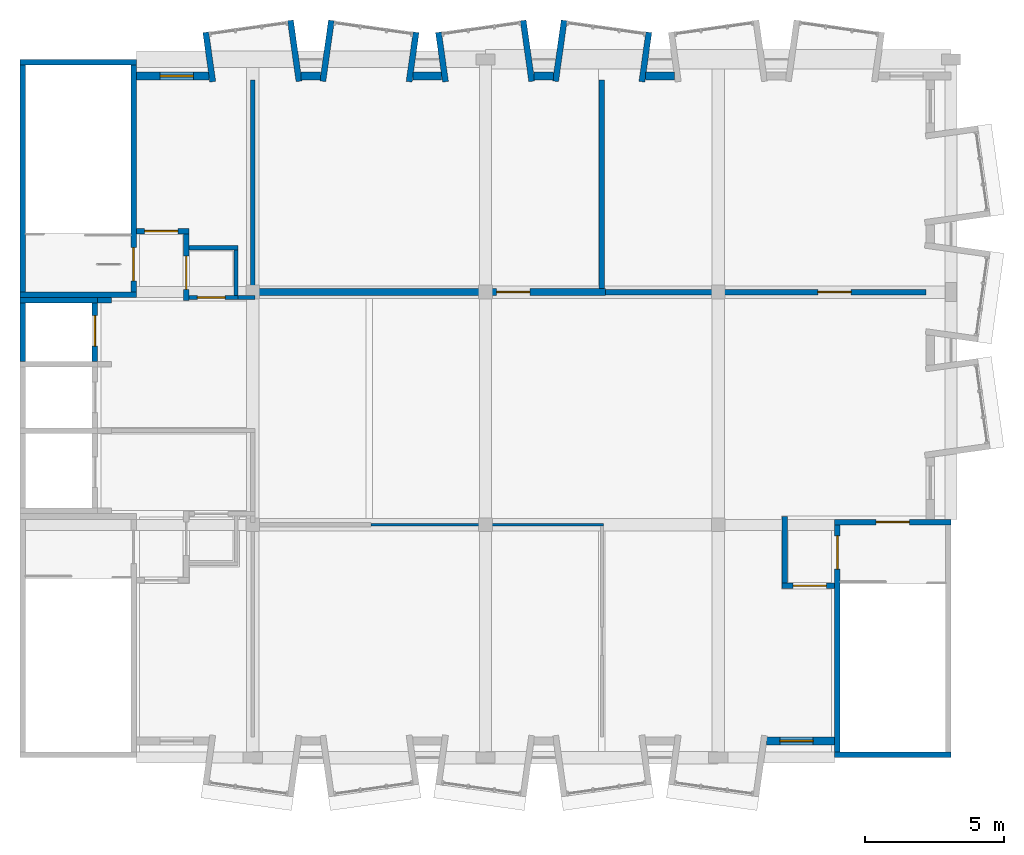
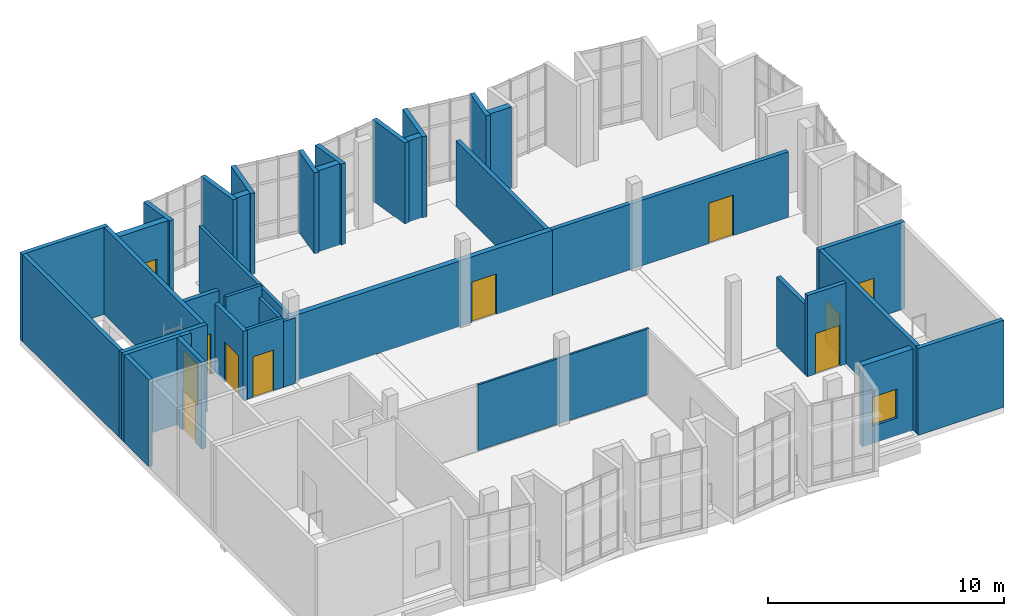
# One storey, part 11 of 15: 38 walls, 10 doors, 2 windows, 12 openings.
"""IFC4 building model written with IfcOpenShell, lengths in metres."""

from ifc_helpers import new_model, si_unit, direction, frame, frame_2d, origin, place, context, subcontext, project, spatial, rectangle, extrude, material, layer, layer_set, type_object, element, fill, save


model = new_model("IFC4")

# Units and contexts
model_context = context("Model", 3, precision=1e-05, world=origin(), true_north=direction((0.0, 1.0)))
body_context = subcontext(model_context, "Body", "Model", "MODEL_VIEW")
ifc_project = project(units=[si_unit("LENGTHUNIT", "METRE"), si_unit("AREAUNIT", "SQUARE_METRE"), si_unit("VOLUMEUNIT", "CUBIC_METRE"), si_unit("PLANEANGLEUNIT", "RADIAN"), si_unit("MASSUNIT", "GRAM", prefix="KILO")], contexts=[model_context])

# Site, building, storey
site_placement = place(None, origin())
site = spatial("IfcSite", under=ifc_project, at=site_placement, CompositionType="ELEMENT")
building_placement = place(site_placement, origin())
building = spatial("IfcBuilding", under=site, at=building_placement, Name="Kiln Court Media Centre", CompositionType="ELEMENT")
storey_placement = place(building_placement, frame((0.0, 0.0, 38.10009765625)))
storey = spatial("IfcBuildingStorey", under=building, at=storey_placement, Name="L08", CompositionType="ELEMENT", Elevation=38.10009765625)

# Wall, opening, door
ifc_material_1 = material(Name="Concrete block masonry M10", Category="masonry")
ifc_layer_1 = layer(ifc_material_1, 0.199951171875)
ifc_layer_set_1 = layer_set([ifc_layer_1], Name="Block plant room wall 200 EI 120")
wall_type_1 = type_object("IfcWallType", Name="Block plant room wall 200 EI 120", PredefinedType="SOLIDWALL", material=ifc_layer_set_1)
wall_1_placement = place(storey_placement, frame((21.125, 16.800048828125, 0.0), z_axis=(0.0, 0.0, 1.0), x_axis=(1.0, 0.0, 0.0)))
wall_1 = element("IfcWall", 1, at=wall_1_placement, inside=storey, type_object=wall_type_1, Name="L08 block plant room wall", PredefinedType="SOLIDWALL", context=body_context, shape_type="SweptSolid", body=[
    extrude(rectangle(XDim=11.574951171875, YDim=0.199951171875, at=frame_2d((5.78759765625, 0.0))), origin(), (0.0, 0.0, 1.0), 3.39990234375),
])
opening_1_placement = place(wall_1_placement, frame((7.675048828125, 0.0, 0.0)))
opening_1 = element("IfcOpeningElement", 2, at=opening_1_placement, cuts=wall_1, Name="Opening D8008", PredefinedType="OPENING", context=body_context, shape_type="SweptSolid", body=[
    extrude(rectangle(XDim=1.199951171875, YDim=2.10009765625, at=frame_2d((0.60009765625, 1.050048828125))), frame((0.0, 0.10986328125, 0.0), z_axis=(0.0, -1.0, 0.0), x_axis=(1.0, 0.0, 0.0)), (0.0, 0.0, 1.0), 0.219970703125),
])
ifc_material_2 = material(Name="Steel S275", Category="steel")
door_type_1 = type_object("IfcDoorType", Name="Steel plant door 1200 x 2100 FD180", OperationType="SINGLE_SWING_LEFT", PredefinedType="DOOR", material=ifc_material_2)
door_1_placement = place(opening_1_placement, origin())
door_1 = element("IfcDoor", 3, at=door_1_placement, inside=storey, type_object=door_type_1, Name="East Lobby / Plant Room", OperationType="SINGLE_SWING_LEFT", OverallHeight=2.10009765625, OverallWidth=1.199951171875, PredefinedType="DOOR", context=body_context, shape_type="SweptSolid", body=[
    extrude(rectangle(XDim=1.199951171875, YDim=2.10009765625, at=frame_2d((0.60009765625, 1.050048828125))), frame((0.0, 0.02490234375, 0.0), z_axis=(0.0, -1.0, 0.0), x_axis=(1.0, 0.0, 0.0)), (0.0, 0.0, 1.0), 0.050048828125),
])
fill(opening_1, door_1)

# Walls
wall_2_placement = place(storey_placement, frame((21.0, 16.925048828125, 0.0), z_axis=(0.0, 0.0, 1.0), x_axis=(0.0, 1.0, 0.0)))
element("IfcWall", 4, at=wall_2_placement, inside=storey, type_object=wall_type_1, Name="L08 block plant room wall", PredefinedType="SOLIDWALL", context=body_context, shape_type="SweptSolid", body=[
    extrude(rectangle(XDim=7.52490234375, YDim=0.199951171875, at=frame_2d((3.762451171875, 0.0))), origin(), (0.0, 0.0, 1.0), 3.39990234375),
])
ifc_material_3 = material(Name="Concrete block masonry M10", Category="masonry")
ifc_layer_2 = layer(ifc_material_3, 0.14990234375)
ifc_layer_set_2 = layer_set([ifc_layer_2], Name="Block riser wall 150 EI 120")
wall_type_2 = type_object("IfcWallType", Name="Block riser wall 150 EI 120", PredefinedType="SOLIDWALL", material=ifc_layer_set_2)
wall_3_placement = place(storey_placement, frame((7.875, 16.60009765625, 0.0), z_axis=(0.0, 0.0, 1.0), x_axis=(1.0, 0.0, 0.0)))
element("IfcWall", 5, at=wall_3_placement, inside=storey, type_object=wall_type_2, Name="L08 block riser wall", PredefinedType="SOLIDWALL", context=body_context, shape_type="SweptSolid", body=[
    extrude(rectangle(XDim=0.60009765625, YDim=0.14990234375, at=frame_2d((0.300048828125, 0.0))), origin(), (0.0, 0.0, 1.0), 3.39990234375),
])
wall_4_placement = place(storey_placement, frame((6.10009765625, 18.39990234375, 0.0), z_axis=(0.0, 0.0, 1.0), x_axis=(1.0, 0.0, 0.0)))
element("IfcWall", 6, at=wall_4_placement, inside=storey, type_object=wall_type_2, Name="L08 block riser wall", PredefinedType="SOLIDWALL", context=body_context, shape_type="SweptSolid", body=[
    extrude(rectangle(XDim=1.77490234375, YDim=0.14990234375, at=frame_2d((0.887451171875, 0.0))), origin(), (0.0, 0.0, 1.0), 4.199951171875),
])
wall_5_placement = place(storey_placement, frame((7.800048828125, 16.675048828125, 0.0), z_axis=(0.0, 0.0, 1.0), x_axis=(0.0, 1.0, 0.0)))
element("IfcWall", 7, at=wall_5_placement, inside=storey, type_object=wall_type_2, Name="L08 block riser wall", PredefinedType="SOLIDWALL", context=body_context, shape_type="SweptSolid", body=[
    extrude(rectangle(XDim=1.64990234375, YDim=0.14990234375, at=frame_2d((0.824951171875, 0.0))), origin(), (0.0, 0.0, 1.0), 3.599853515625),
])
wall_6_placement = place(storey_placement, frame((8.39990234375, 16.925048828125, 0.0), z_axis=(0.0, 0.0, 1.0), x_axis=(0.0, 1.0, 0.0)))
element("IfcWall", 8, at=wall_6_placement, inside=storey, type_object=wall_type_2, Name="L08 block riser wall", PredefinedType="SOLIDWALL", context=body_context, shape_type="SweptSolid", body=[
    extrude(rectangle(XDim=7.52490234375, YDim=0.14990234375, at=frame_2d((3.762451171875, 0.0))), origin(), (0.0, 0.0, 1.0), 3.39990234375),
])

# Wall, opening, door
ifc_material_4 = material(Name="Concrete block masonry M10", Category="masonry")
ifc_layer_3 = layer(ifc_material_4, 0.199951171875)
ifc_layer_set_3 = layer_set([ifc_layer_3], Name="Block vestibule wall 200 EI 240")
wall_type_3 = type_object("IfcWallType", Name="Block vestibule wall 200 EI 240", PredefinedType="SOLIDWALL", material=ifc_layer_set_3)
wall_7_placement = place(storey_placement, frame((27.5, 6.199951171875, 0.0), z_axis=(0.0, 0.0, 1.0), x_axis=(1.0, 0.0, 0.0)))
wall_7 = element("IfcWall", 9, at=wall_7_placement, inside=storey, type_object=wall_type_3, Name="L08 block vestibule wall", PredefinedType="SOLIDWALL", context=body_context, shape_type="SweptSolid", body=[
    extrude(rectangle(XDim=1.89990234375, YDim=0.199951171875, at=frame_2d((0.949951171875, 0.0))), origin(), (0.0, 0.0, 1.0), 4.199951171875),
])
opening_2_placement = place(wall_7_placement, frame((0.39990234375, 0.0, 0.0)))
opening_2 = element("IfcOpeningElement", 10, at=opening_2_placement, cuts=wall_7, Name="Opening D8005", PredefinedType="OPENING", context=body_context, shape_type="SweptSolid", body=[
    extrude(rectangle(XDim=1.199951171875, YDim=2.10009765625, at=frame_2d((0.60009765625, 1.050048828125))), frame((0.0, 0.10986328125, 0.0), z_axis=(0.0, -1.0, 0.0), x_axis=(1.0, 0.0, 0.0)), (0.0, 0.0, 1.0), 0.219970703125),
])
ifc_material_5 = material(Name="Steel S275", Category="steel")
door_type_2 = type_object("IfcDoorType", Name="Steel vestibule door 1200 x 2100 FD180", OperationType="SINGLE_SWING_LEFT", PredefinedType="DOOR", material=ifc_material_5)
door_2_placement = place(opening_2_placement, origin())
door_2 = element("IfcDoor", 11, at=door_2_placement, inside=storey, type_object=door_type_2, Name="Club Lounge / Stair 3 Vestibule", OperationType="SINGLE_SWING_RIGHT", OverallHeight=2.10009765625, OverallWidth=1.199951171875, PredefinedType="DOOR", context=body_context, shape_type="SweptSolid", body=[
    extrude(rectangle(XDim=1.199951171875, YDim=2.10009765625, at=frame_2d((0.60009765625, 1.050048828125))), frame((0.0, 0.02490234375, 0.0), z_axis=(0.0, -1.0, 0.0), x_axis=(1.0, 0.0, 0.0)), (0.0, 0.0, 1.0), 0.050048828125),
])
fill(opening_2, door_2)

wall_8_placement = place(storey_placement, frame((4.2001953125, 19.0, 0.0), z_axis=(0.0, 0.0, 1.0), x_axis=(1.0, 0.0, 0.0)))
wall_8 = element("IfcWall", 12, at=wall_8_placement, inside=storey, type_object=wall_type_3, Name="L08 block vestibule wall", PredefinedType="SOLIDWALL", context=body_context, shape_type="SweptSolid", body=[
    extrude(rectangle(XDim=1.89990234375, YDim=0.199951171875, at=frame_2d((0.949951171875, 0.0))), origin(), (0.0, 0.0, 1.0), 4.199951171875),
])
opening_3_placement = place(wall_8_placement, frame((0.2998046875, 0.0, 0.0)))
opening_3 = element("IfcOpeningElement", 13, at=opening_3_placement, cuts=wall_8, Name="Opening D8009", PredefinedType="OPENING", context=body_context, shape_type="SweptSolid", body=[
    extrude(rectangle(XDim=1.199951171875, YDim=2.10009765625, at=frame_2d((0.60009765625, 1.050048828125))), frame((0.0, 0.10986328125, 0.0), z_axis=(0.0, -1.0, 0.0), x_axis=(1.0, 0.0, 0.0)), (0.0, 0.0, 1.0), 0.219970703125),
])
door_3_placement = place(opening_3_placement, origin())
door_3 = element("IfcDoor", 14, at=door_3_placement, inside=storey, type_object=door_type_2, Name="Cleaners' Store and Riser / Stair 2 Vestibule", OperationType="SINGLE_SWING_LEFT", OverallHeight=2.10009765625, OverallWidth=1.199951171875, PredefinedType="DOOR", context=body_context, shape_type="SweptSolid", body=[
    extrude(rectangle(XDim=1.199951171875, YDim=2.10009765625, at=frame_2d((0.60009765625, 1.050048828125))), frame((0.0, 0.02490234375, 0.0), z_axis=(0.0, -1.0, 0.0), x_axis=(1.0, 0.0, 0.0)), (0.0, 0.0, 1.0), 0.050048828125),
])
fill(opening_3, door_3)

wall_9_placement = place(storey_placement, frame((6.0, 16.5, 0.0), z_axis=(0.0, 0.0, 1.0), x_axis=(0.0, 1.0, 0.0)))
wall_9 = element("IfcWall", 15, at=wall_9_placement, inside=storey, type_object=wall_type_3, Name="L08 block vestibule wall", PredefinedType="SOLIDWALL", context=body_context, shape_type="SweptSolid", body=[
    extrude(rectangle(XDim=2.39990234375, YDim=0.199951171875, at=frame_2d((1.199951171875, 0.0))), origin(), (0.0, 0.0, 1.0), 3.599853515625),
])
opening_4_placement = place(wall_9_placement, frame((0.39990234375, 0.0, 0.0)))
opening_4 = element("IfcOpeningElement", 16, at=opening_4_placement, cuts=wall_9, Name="Opening D8010", PredefinedType="OPENING", context=body_context, shape_type="SweptSolid", body=[
    extrude(rectangle(XDim=1.199951171875, YDim=2.10009765625, at=frame_2d((0.60009765625, 1.050048828125))), frame((0.0, 0.10986328125, 0.0), z_axis=(0.0, -1.0, 0.0), x_axis=(1.0, 0.0, 0.0)), (0.0, 0.0, 1.0), 0.219970703125),
])
door_4_placement = place(opening_4_placement, origin())
door_4 = element("IfcDoor", 17, at=door_4_placement, inside=storey, type_object=door_type_2, Name="Stair 2 Vestibule / Wheelchair Refuge", OperationType="SINGLE_SWING_RIGHT", OverallHeight=2.10009765625, OverallWidth=1.199951171875, PredefinedType="DOOR", context=body_context, shape_type="SweptSolid", body=[
    extrude(rectangle(XDim=1.199951171875, YDim=2.10009765625, at=frame_2d((0.60009765625, 1.050048828125))), frame((0.0, 0.02490234375, 0.0), z_axis=(0.0, -1.0, 0.0), x_axis=(1.0, 0.0, 0.0)), (0.0, 0.0, 1.0), 0.050048828125),
])
fill(opening_4, door_4)

# Walls
wall_10_placement = place(storey_placement, frame((27.60009765625, 6.300048828125, 0.0), z_axis=(0.0, 0.0, 1.0), x_axis=(0.0, 1.0, 0.0)))
element("IfcWall", 18, at=wall_10_placement, inside=storey, type_object=wall_type_3, Name="L08 block vestibule wall", PredefinedType="SOLIDWALL", context=body_context, shape_type="SweptSolid", body=[
    extrude(rectangle(XDim=2.39990234375, YDim=0.199951171875, at=frame_2d((1.199951171875, 0.0))), origin(), (0.0, 0.0, 1.0), 3.599853515625),
])
ifc_material_6 = material(Name="Brick masonry facing leaf with RC backing", Category="masonry")
ifc_layer_4 = layer(ifc_material_6, 0.215087890625)
ifc_layer_set_4 = layer_set([ifc_layer_4], Name="Brick masonry bay cheek wall 215")
wall_type_4 = type_object("IfcWallType", Name="Brick masonry bay cheek wall 215", PredefinedType="SOLIDWALL", material=ifc_layer_set_4)
wall_11_placement = place(storey_placement, frame((6.9560546875, 24.39111328125, 0.0), z_axis=(0.0, 0.0, 1.0), x_axis=(-0.139161311926, 0.990269725511, 0.0)))
element("IfcWall", 19, at=wall_11_placement, inside=storey, type_object=wall_type_4, Name="BAY V6A-N-L08-53 cheek L", PredefinedType="SOLIDWALL", context=body_context, shape_type="SweptSolid", body=[
    extrude(rectangle(XDim=1.800048828125, YDim=0.215087890625, at=frame_2d((0.89990234375, 0.0))), origin(), (0.0, 0.0, 1.0), 4.199951171875),
])
for number, where, z_axis, x_axis, name in (
    (20, (10.0693359375, 24.405029296875, 0.0), (0.0, 0.0, 1.0), (-0.139141913905, 0.990272451295, 0.0), "BAY V6A-N-L08-53 cheek R"),
    (21, (10.9306640625, 24.405029296875, 0.0), (0.0, 0.0, 1.0), (0.139141913905, 0.990272451295, 0.0), "BAY V6A-N-L08-54 cheek L"),
):
    element("IfcWall", number, at=place(storey_placement, frame(where, z_axis=z_axis, x_axis=x_axis)), inside=storey, type_object=wall_type_4, Name=name, PredefinedType="SOLIDWALL", context=body_context, shape_type="SweptSolid", body=[
        extrude(rectangle(XDim=2.219482421875, YDim=0.215087890625, at=frame_2d((1.10986328125, 0.0))), origin(), (0.0, 0.0, 1.0), 4.199951171875),
    ])
for number, where, z_axis, x_axis, name in (
    (22, (14.0439453125, 24.39111328125, 0.0), (0.0, 0.0, 1.0), (0.139161311926, 0.990269725511, 0.0), "BAY V6A-N-L08-54 cheek R"),
    (23, (15.35595703125, 24.39111328125, 0.0), (0.0, 0.0, 1.0), (-0.139161311926, 0.990269725511, 0.0), "BAY V6A-N-L08-55 cheek L"),
):
    element("IfcWall", number, at=place(storey_placement, frame(where, z_axis=z_axis, x_axis=x_axis)), inside=storey, type_object=wall_type_4, Name=name, PredefinedType="SOLIDWALL", context=body_context, shape_type="SweptSolid", body=[
        extrude(rectangle(XDim=1.800048828125, YDim=0.215087890625, at=frame_2d((0.89990234375, 0.0))), origin(), (0.0, 0.0, 1.0), 4.199951171875),
    ])
wall_12_placement = place(storey_placement, frame((18.469482421875, 24.405029296875, 0.0), z_axis=(0.0, 0.0, 1.0), x_axis=(-0.139249775508, 0.99025728981, 0.0)))
element("IfcWall", 24, at=wall_12_placement, inside=storey, type_object=wall_type_4, Name="BAY V6A-N-L08-55 cheek R", PredefinedType="SOLIDWALL", context=body_context, shape_type="SweptSolid", body=[
    extrude(rectangle(XDim=2.2197265625, YDim=0.215087890625, at=frame_2d((1.10986328125, 0.0))), origin(), (0.0, 0.0, 1.0), 4.199951171875),
])
wall_13_placement = place(storey_placement, frame((19.33056640625, 24.405029296875, 0.0), z_axis=(0.0, 0.0, 1.0), x_axis=(0.139141913905, 0.990272451295, 0.0)))
element("IfcWall", 25, at=wall_13_placement, inside=storey, type_object=wall_type_4, Name="BAY V6A-N-L08-56 cheek L", PredefinedType="SOLIDWALL", context=body_context, shape_type="SweptSolid", body=[
    extrude(rectangle(XDim=2.219482421875, YDim=0.215087890625, at=frame_2d((1.10986328125, 0.0))), origin(), (0.0, 0.0, 1.0), 4.199951171875),
])
wall_14_placement = place(storey_placement, frame((22.444091796875, 24.39111328125, 0.0), z_axis=(0.0, 0.0, 1.0), x_axis=(0.139161311926, 0.990269725511, 0.0)))
element("IfcWall", 26, at=wall_14_placement, inside=storey, type_object=wall_type_4, Name="BAY V6A-N-L08-56 cheek R", PredefinedType="SOLIDWALL", context=body_context, shape_type="SweptSolid", body=[
    extrude(rectangle(XDim=1.800048828125, YDim=0.215087890625, at=frame_2d((0.89990234375, 0.0))), origin(), (0.0, 0.0, 1.0), 4.199951171875),
])

# Wall, opening, window
ifc_material_7 = material(Name="Brick masonry facing leaf with RC backing", Category="masonry")
ifc_layer_5 = layer(ifc_material_7, 0.300048828125)
ifc_layer_set_5 = layer_set([ifc_layer_5], Name="Brick masonry cavity wall 300")
wall_type_5 = type_object("IfcWallType", Name="Brick masonry cavity wall 300", PredefinedType="SOLIDWALL", material=ifc_layer_set_5)
wall_15_placement = place(storey_placement, frame((4.2001953125, 24.60009765625, 0.0), z_axis=(0.0, 0.0, 1.0), x_axis=(1.0, 0.0, 0.0)))
wall_15 = element("IfcWall", 27, at=wall_15_placement, inside=storey, type_object=wall_type_5, Name="V6A-N facade L08 3022", PredefinedType="SOLIDWALL", context=body_context, shape_type="SweptSolid", body=[
    extrude(rectangle(XDim=2.617919921875, YDim=0.300048828125, at=frame_2d((1.30908203125, 0.0))), origin(), (0.0, 0.0, 1.0), 4.199951171875),
])
opening_5_placement = place(wall_15_placement, frame((0.85888671875, 0.0, 0.89990234375)))
opening_5 = element("IfcOpeningElement", 28, at=opening_5_placement, cuts=wall_15, Name="Opening WN8003", PredefinedType="OPENING", context=body_context, shape_type="SweptSolid", body=[
    extrude(rectangle(XDim=1.199951171875, YDim=1.5, at=frame_2d((0.60009765625, 0.75))), frame((0.0, 0.159912109375, 0.0), z_axis=(0.0, -1.0, 0.0), x_axis=(1.0, 0.0, 0.0)), (0.0, 0.0, 1.0), 0.320068359375),
])
ifc_material_8 = material(Name="Aluminium 6063-T6", Category="aluminium")
window_type = type_object("IfcWindowType", Name="Aluminium window 1200x1500", PartitioningType="DOUBLE_PANEL_VERTICAL", PredefinedType="WINDOW", material=ifc_material_8)
window_1_placement = place(opening_5_placement, origin())
window_1 = element("IfcWindow", 29, at=window_1_placement, inside=storey, type_object=window_type, Name="WB window WN8003", OverallHeight=1.5, OverallWidth=1.199951171875, PartitioningType="SINGLE_PANEL", PredefinedType="WINDOW", context=body_context, shape_type="SweptSolid", body=[
    extrude(rectangle(XDim=1.199951171875, YDim=1.5, at=frame_2d((0.60009765625, 0.75))), frame((0.0, 0.030029296875, 0.0), z_axis=(0.0, -1.0, 0.0), x_axis=(1.0, 0.0, 0.0)), (0.0, 0.0, 1.0), 0.06005859375),
])
fill(opening_5, window_1)

# Walls
wall_16_placement = place(storey_placement, frame((10.150390625, 24.60009765625, 0.0), z_axis=(0.0, 0.0, 1.0), x_axis=(1.0, 0.0, 0.0)))
element("IfcWall", 30, at=wall_16_placement, inside=storey, type_object=wall_type_5, Name="V6A-N facade L08 3023", PredefinedType="SOLIDWALL", context=body_context, shape_type="SweptSolid", body=[
    extrude(rectangle(XDim=0.69921875, YDim=0.300048828125, at=frame_2d((0.349609375, 0.0))), origin(), (0.0, 0.0, 1.0), 4.199951171875),
])
wall_17_placement = place(storey_placement, frame((14.181884765625, 24.60009765625, 0.0), z_axis=(0.0, 0.0, 1.0), x_axis=(1.0, 0.0, 0.0)))
element("IfcWall", 31, at=wall_17_placement, inside=storey, type_object=wall_type_5, Name="V6A-N facade L08 3024", PredefinedType="SOLIDWALL", context=body_context, shape_type="SweptSolid", body=[
    extrude(rectangle(XDim=1.0361328125, YDim=0.300048828125, at=frame_2d((0.51806640625, 0.0))), origin(), (0.0, 0.0, 1.0), 4.199951171875),
])
wall_18_placement = place(storey_placement, frame((18.550537109375, 24.60009765625, 0.0), z_axis=(0.0, 0.0, 1.0), x_axis=(1.0, 0.0, 0.0)))
element("IfcWall", 32, at=wall_18_placement, inside=storey, type_object=wall_type_5, Name="V6A-N facade L08 3025", PredefinedType="SOLIDWALL", context=body_context, shape_type="SweptSolid", body=[
    extrude(rectangle(XDim=0.698974609375, YDim=0.300048828125, at=frame_2d((0.349609375, 0.0))), origin(), (0.0, 0.0, 1.0), 4.199951171875),
])
wall_19_placement = place(storey_placement, frame((22.581787109375, 24.60009765625, 0.0), z_axis=(0.0, 0.0, 1.0), x_axis=(1.0, 0.0, 0.0)))
element("IfcWall", 33, at=wall_19_placement, inside=storey, type_object=wall_type_5, Name="V6A-N facade L08 3026", PredefinedType="SOLIDWALL", context=body_context, shape_type="SweptSolid", body=[
    extrude(rectangle(XDim=1.036376953125, YDim=0.300048828125, at=frame_2d((0.51806640625, 0.0))), origin(), (0.0, 0.0, 1.0), 4.199951171875),
])

# Wall, opening, window
wall_20_placement = place(storey_placement, frame((29.39990234375, 0.60009765625, 0.0), z_axis=(0.0, 0.0, 1.0), x_axis=(-1.0, 0.0, 0.0)))
wall_20 = element("IfcWall", 34, at=wall_20_placement, inside=storey, type_object=wall_type_5, Name="V6A-S facade L08 3044", PredefinedType="SOLIDWALL", context=body_context, shape_type="SweptSolid", body=[
    extrude(rectangle(XDim=2.449462890625, YDim=0.300048828125, at=frame_2d((1.224609375, 0.0))), origin(), (0.0, 0.0, 1.0), 4.199951171875),
])
opening_6_placement = place(wall_20_placement, frame((0.77490234375, 0.0, 0.89990234375)))
opening_6 = element("IfcOpeningElement", 35, at=opening_6_placement, cuts=wall_20, Name="Opening WN8006", PredefinedType="OPENING", context=body_context, shape_type="SweptSolid", body=[
    extrude(rectangle(XDim=1.199951171875, YDim=1.5, at=frame_2d((0.60009765625, 0.75))), frame((0.0, 0.159912109375, 0.0), z_axis=(0.0, -1.0, 0.0), x_axis=(1.0, 0.0, 0.0)), (0.0, 0.0, 1.0), 0.320068359375),
])
window_2_placement = place(opening_6_placement, origin())
window_2 = element("IfcWindow", 36, at=window_2_placement, inside=storey, type_object=window_type, Name="WB window WN8006", OverallHeight=1.5, OverallWidth=1.199951171875, PartitioningType="SINGLE_PANEL", PredefinedType="WINDOW", context=body_context, shape_type="SweptSolid", body=[
    extrude(rectangle(XDim=1.199951171875, YDim=1.5, at=frame_2d((0.60009765625, 0.75))), frame((0.0, 0.030029296875, 0.0), z_axis=(0.0, -1.0, 0.0), x_axis=(1.0, 0.0, 0.0)), (0.0, 0.0, 1.0), 0.06005859375),
])
fill(opening_6, window_2)

# Walls
ifc_material_9 = material(Name="Concrete C40/50", Category="concrete")
ifc_layer_6 = layer(ifc_material_9, 0.199951171875)
ifc_layer_set_6 = layer_set([ifc_layer_6], Name="Concrete C40/50 shear wall 200")
wall_type_6 = type_object("IfcWallType", Name="Concrete C40/50 shear wall 200", PredefinedType="SHEAR", material=ifc_layer_set_6)
for number, where, z_axis, x_axis, name in (
    (37, (4.199951171875, 16.699951171875, 0.0), (0.0, 0.0, 1.0), (-1.0, 0.0, 0.0), "L08-W-1004"),
    (38, (0.00048828125, 25.10009765625, 0.0), (0.0, 0.0, 1.0), (1.0, 0.0, 0.0), "L08-W-1005"),
):
    element("IfcWall", number, at=place(storey_placement, frame(where, z_axis=z_axis, x_axis=x_axis)), inside=storey, type_object=wall_type_6, Name=name, PredefinedType="SHEAR", context=body_context, shape_type="SweptSolid", body=[
        extrude(rectangle(XDim=4.199462890625, YDim=0.199951171875, at=frame_2d((2.099609375, 0.0))), origin(), (0.0, 0.0, 1.0), 4.5),
    ])
wall_21_placement = place(storey_placement, frame((0.100341796875, 16.800048828125, 0.0), z_axis=(0.0, 0.0, 1.0), x_axis=(0.0, 1.0, 0.0)))
element("IfcWall", 39, at=wall_21_placement, inside=storey, type_object=wall_type_6, Name="L08-W-1006", PredefinedType="SHEAR", context=body_context, shape_type="SweptSolid", body=[
    extrude(rectangle(XDim=8.199951171875, YDim=0.199951171875, at=frame_2d((4.10009765625, 0.0))), origin(), (0.0, 0.0, 1.0), 4.5),
])

# Wall, opening, door
wall_22_placement = place(storey_placement, frame((4.10009765625, 25.0, 0.0), z_axis=(0.0, 0.0, 1.0), x_axis=(0.0, -1.0, 0.0)))
wall_22 = element("IfcWall", 40, at=wall_22_placement, inside=storey, type_object=wall_type_6, Name="L08-W-1007", PredefinedType="SHEAR", context=body_context, shape_type="SweptSolid", body=[
    extrude(rectangle(XDim=8.199951171875, YDim=0.199951171875, at=frame_2d((4.10009765625, 0.0))), origin(), (0.0, 0.0, 1.0), 4.5),
])
opening_7_placement = place(wall_22_placement, frame((6.60009765625, 0.0, 0.0)))
opening_7 = element("IfcOpeningElement", 41, at=opening_7_placement, cuts=wall_22, Name="Opening D8004", PredefinedType="OPENING", context=body_context, shape_type="SweptSolid", body=[
    extrude(rectangle(XDim=1.199951171875, YDim=2.10009765625, at=frame_2d((0.60009765625, 1.050048828125))), frame((0.0, 0.10986328125, 0.0), z_axis=(0.0, -1.0, 0.0), x_axis=(1.0, 0.0, 0.0)), (0.0, 0.0, 1.0), 0.219970703125),
])
ifc_material_10 = material(Name="Steel S275", Category="steel")
door_type_3 = type_object("IfcDoorType", Name="Steel stair door 1200 x 2100 FD180", OperationType="SINGLE_SWING_LEFT", PredefinedType="DOOR", material=ifc_material_10)
door_5_placement = place(opening_7_placement, origin())
door_5 = element("IfcDoor", 42, at=door_5_placement, inside=storey, type_object=door_type_3, Name="Stair 2 / Stair 2 Vestibule", OperationType="SINGLE_SWING_RIGHT", OverallHeight=2.10009765625, OverallWidth=1.199951171875, PredefinedType="DOOR", context=body_context, shape_type="SweptSolid", body=[
    extrude(rectangle(XDim=1.199951171875, YDim=2.10009765625, at=frame_2d((0.60009765625, 1.050048828125))), frame((0.0, 0.02490234375, 0.0), z_axis=(0.0, -1.0, 0.0), x_axis=(1.0, 0.0, 0.0)), (0.0, 0.0, 1.0), 0.050048828125),
])
fill(opening_7, door_5)

# Wall
wall_23_placement = place(storey_placement, frame((33.60009765625, 0.10009765625, 0.0), z_axis=(0.0, 0.0, 1.0), x_axis=(-1.0, 0.0, 0.0)))
element("IfcWall", 43, at=wall_23_placement, inside=storey, type_object=wall_type_6, Name="L08-W-1008", PredefinedType="SHEAR", context=body_context, shape_type="SweptSolid", body=[
    extrude(rectangle(XDim=4.2001953125, YDim=0.199951171875, at=frame_2d((2.10009765625, 0.0))), origin(), (0.0, 0.0, 1.0), 4.5),
])

# Wall, opening, door
wall_24_placement = place(storey_placement, frame((29.39990234375, 8.5, 0.0), z_axis=(0.0, 0.0, 1.0), x_axis=(1.0, 0.0, 0.0)))
wall_24 = element("IfcWall", 44, at=wall_24_placement, inside=storey, type_object=wall_type_6, Name="L08-W-1009", PredefinedType="SHEAR", context=body_context, shape_type="SweptSolid", body=[
    extrude(rectangle(XDim=4.2001953125, YDim=0.199951171875, at=frame_2d((2.10009765625, 0.0))), origin(), (0.0, 0.0, 1.0), 4.5),
])
opening_8_placement = place(wall_24_placement, frame((1.5, 0.0, 0.0)))
opening_8 = element("IfcOpeningElement", 45, at=opening_8_placement, cuts=wall_24, Name="Opening D8003", PredefinedType="OPENING", context=body_context, shape_type="SweptSolid", body=[
    extrude(rectangle(XDim=1.199951171875, YDim=2.10009765625, at=frame_2d((0.60009765625, 1.050048828125))), frame((0.0, 0.10986328125, 0.0), z_axis=(0.0, -1.0, 0.0), x_axis=(1.0, 0.0, 0.0)), (0.0, 0.0, 1.0), 0.219970703125),
])
door_6_placement = place(opening_8_placement, origin())
door_6 = element("IfcDoor", 46, at=door_6_placement, inside=storey, type_object=door_type_3, Name="Stair 3 / East Lobby", OperationType="SINGLE_SWING_RIGHT", OverallHeight=2.10009765625, OverallWidth=1.199951171875, PredefinedType="DOOR", context=body_context, shape_type="SweptSolid", body=[
    extrude(rectangle(XDim=1.199951171875, YDim=2.10009765625, at=frame_2d((0.60009765625, 1.050048828125))), frame((0.0, 0.02490234375, 0.0), z_axis=(0.0, -1.0, 0.0), x_axis=(1.0, 0.0, 0.0)), (0.0, 0.0, 1.0), 0.050048828125),
])
fill(opening_8, door_6)

wall_25_placement = place(storey_placement, frame((29.5, 0.199951171875, 0.0), z_axis=(0.0, 0.0, 1.0), x_axis=(0.0, 1.0, 0.0)))
wall_25 = element("IfcWall", 47, at=wall_25_placement, inside=storey, type_object=wall_type_6, Name="L08-W-1010", PredefinedType="SHEAR", context=body_context, shape_type="SweptSolid", body=[
    extrude(rectangle(XDim=8.199951171875, YDim=0.199951171875, at=frame_2d((4.10009765625, 0.0))), origin(), (0.0, 0.0, 1.0), 4.5),
])
opening_9_placement = place(wall_25_placement, frame((6.60009765625, 0.0, 0.0)))
opening_9 = element("IfcOpeningElement", 48, at=opening_9_placement, cuts=wall_25, Name="Opening D8002", PredefinedType="OPENING", context=body_context, shape_type="SweptSolid", body=[
    extrude(rectangle(XDim=1.199951171875, YDim=2.10009765625, at=frame_2d((0.60009765625, 1.050048828125))), frame((0.0, 0.10986328125, 0.0), z_axis=(0.0, -1.0, 0.0), x_axis=(1.0, 0.0, 0.0)), (0.0, 0.0, 1.0), 0.219970703125),
])
door_7_placement = place(opening_9_placement, origin())
door_7 = element("IfcDoor", 49, at=door_7_placement, inside=storey, type_object=door_type_3, Name="Stair 3 / Stair 3 Vestibule", OperationType="SINGLE_SWING_RIGHT", OverallHeight=2.10009765625, OverallWidth=1.199951171875, PredefinedType="DOOR", context=body_context, shape_type="SweptSolid", body=[
    extrude(rectangle(XDim=1.199951171875, YDim=2.10009765625, at=frame_2d((0.60009765625, 1.050048828125))), frame((0.0, 0.02490234375, 0.0), z_axis=(0.0, -1.0, 0.0), x_axis=(1.0, 0.0, 0.0)), (0.0, 0.0, 1.0), 0.050048828125),
])
fill(opening_9, door_7)

# Walls
wall_26_placement = place(storey_placement, frame((0.00048828125, 16.5, 0.0), z_axis=(0.0, 0.0, 1.0), x_axis=(1.0, 0.0, 0.0)))
element("IfcWall", 50, at=wall_26_placement, inside=storey, type_object=wall_type_6, Name="L08-W-1019", PredefinedType="SHEAR", context=body_context, shape_type="SweptSolid", body=[
    extrude(rectangle(XDim=2.799560546875, YDim=0.199951171875, at=frame_2d((1.39990234375, 0.0))), origin(), (0.0, 0.0, 1.0), 4.5),
])
wall_27_placement = place(storey_placement, frame((0.100341796875, 14.300048828125, 0.0), z_axis=(0.0, 0.0, 1.0), x_axis=(0.0, 1.0, 0.0)))
element("IfcWall", 51, at=wall_27_placement, inside=storey, type_object=wall_type_6, Name="L08-W-1020", PredefinedType="SHEAR", context=body_context, shape_type="SweptSolid", body=[
    extrude(rectangle(XDim=2.099853515625, YDim=0.199951171875, at=frame_2d((1.0498046875, 0.0))), origin(), (0.0, 0.0, 1.0), 4.5),
])

# Wall, opening, door
wall_28_placement = place(storey_placement, frame((2.699951171875, 16.39990234375, 0.0), z_axis=(0.0, 0.0, 1.0), x_axis=(0.0, -1.0, 0.0)))
wall_28 = element("IfcWall", 52, at=wall_28_placement, inside=storey, type_object=wall_type_6, Name="L08-W-1021", PredefinedType="SHEAR", context=body_context, shape_type="SweptSolid", body=[
    extrude(rectangle(XDim=2.099853515625, YDim=0.199951171875, at=frame_2d((1.0498046875, 0.0))), origin(), (0.0, 0.0, 1.0), 4.5),
])
opening_10_placement = place(wall_28_placement, frame((0.449951171875, 0.0, 0.0)))
opening_10 = element("IfcOpeningElement", 53, at=opening_10_placement, cuts=wall_28, Name="Opening LD803", PredefinedType="OPENING", context=body_context, shape_type="SweptSolid", body=[
    extrude(rectangle(XDim=1.10009765625, YDim=2.10009765625, at=frame_2d((0.550048828125, 1.050048828125))), frame((0.0, 0.10986328125, 0.0), z_axis=(0.0, -1.0, 0.0), x_axis=(1.0, 0.0, 0.0)), (0.0, 0.0, 1.0), 0.219970703125),
])
ifc_material_11 = material(Name="Stainless steel", Category="steel")
door_type_4 = type_object("IfcDoorType", Name="Lift landing door 1100 x 2100 FD120", OperationType="SLIDING_TO_LEFT", PredefinedType="DOOR", material=ifc_material_11)
door_8_placement = place(opening_10_placement, origin())
door_8 = element("IfcDoor", 54, at=door_8_placement, inside=storey, type_object=door_type_4, Name="LF-03 landing door L08", OperationType="SLIDING_TO_LEFT", OverallHeight=2.10009765625, OverallWidth=1.10009765625, PredefinedType="DOOR", context=body_context, shape_type="SweptSolid", body=[
    extrude(rectangle(XDim=1.10009765625, YDim=2.10009765625, at=frame_2d((0.550048828125, 1.050048828125))), frame((0.0, 0.02490234375, 0.0), z_axis=(0.0, -1.0, 0.0), x_axis=(1.0, 0.0, 0.0)), (0.0, 0.0, 1.0), 0.050048828125),
])
fill(opening_10, door_8)

# Wall
wall_29_placement = place(storey_placement, frame((2.800048828125, 16.5, 0.0), z_axis=(0.0, 0.0, 1.0), x_axis=(1.0, 0.0, 0.0)))
element("IfcWall", 55, at=wall_29_placement, inside=storey, type_object=wall_type_6, Name="L08-W-1025", PredefinedType="SHEAR", context=body_context, shape_type="SweptSolid", body=[
    extrude(rectangle(XDim=0.5, YDim=0.199951171875, at=frame_2d((0.25, 0.0))), origin(), (0.0, 0.0, 1.0), 4.5),
])

# Wall, opening, door
ifc_material_12 = material(Name="Gypsum plasterboard", Category="gypsum")
ifc_layer_7 = layer(ifc_material_12, 0.25)
ifc_layer_set_7 = layer_set([ifc_layer_7], Name="Double-leaf acoustic wall 250 EI 120")
wall_type_7 = type_object("IfcWallType", Name="Double-leaf acoustic wall 250 EI 120", PredefinedType="PARTITIONING", material=ifc_layer_set_7)
wall_30_placement = place(storey_placement, frame((8.27490234375, 16.800048828125, 0.0), z_axis=(0.0, 0.0, 1.0), x_axis=(1.0, 0.0, 0.0)))
wall_30 = element("IfcWall", 56, at=wall_30_placement, inside=storey, type_object=wall_type_7, Name="L08 double-leaf acoustic wall", PredefinedType="PARTITIONING", context=body_context, shape_type="SweptSolid", body=[
    extrude(rectangle(XDim=12.85009765625, YDim=0.25, at=frame_2d((6.425048828125, 0.0))), origin(), (0.0, 0.0, 1.0), 3.39990234375),
])
opening_11_placement = place(wall_30_placement, frame((8.925048828125, 0.0, 0.0)))
opening_11 = element("IfcOpeningElement", 57, at=opening_11_placement, cuts=wall_30, Name="Opening D8013", PredefinedType="OPENING", context=body_context, shape_type="SweptSolid", body=[
    extrude(rectangle(XDim=1.199951171875, YDim=2.10009765625, at=frame_2d((0.60009765625, 1.050048828125))), frame((0.0, 0.135009765625, 0.0), z_axis=(0.0, -1.0, 0.0), x_axis=(1.0, 0.0, 0.0)), (0.0, 0.0, 1.0), 0.27001953125),
])
ifc_material_13 = material(Name="Steel S275", Category="steel")
door_type_5 = type_object("IfcDoorType", Name="Acoustic studio door 1200 x 2100 FD180", OperationType="SINGLE_SWING_LEFT", PredefinedType="DOOR", material=ifc_material_13)
door_9_placement = place(opening_11_placement, origin())
door_9 = element("IfcDoor", 58, at=door_9_placement, inside=storey, type_object=door_type_5, Name="Exhibition Loft / Preview Theatre", OperationType="SINGLE_SWING_RIGHT", OverallHeight=2.10009765625, OverallWidth=1.199951171875, PredefinedType="DOOR", context=body_context, shape_type="SweptSolid", body=[
    extrude(rectangle(XDim=1.199951171875, YDim=2.10009765625, at=frame_2d((0.60009765625, 1.050048828125))), frame((0.0, 0.02490234375, 0.0), z_axis=(0.0, -1.0, 0.0), x_axis=(1.0, 0.0, 0.0)), (0.0, 0.0, 1.0), 0.050048828125),
])
fill(opening_11, door_9)

ifc_material_14 = material(Name="Gypsum plasterboard", Category="gypsum")
ifc_layer_8 = layer(ifc_material_14, 0.14990234375)
ifc_layer_set_8 = layer_set([ifc_layer_8], Name="Gypsum corridor partition 150 EI 60")
wall_type_8 = type_object("IfcWallType", Name="Gypsum corridor partition 150 EI 60", PredefinedType="PARTITIONING", material=ifc_layer_set_8)
wall_31_placement = place(storey_placement, frame((6.10009765625, 16.60009765625, 0.0), z_axis=(0.0, 0.0, 1.0), x_axis=(1.0, 0.0, 0.0)))
wall_31 = element("IfcWall", 59, at=wall_31_placement, inside=storey, type_object=wall_type_8, Name="L08 gypsum corridor partition", PredefinedType="PARTITIONING", context=body_context, shape_type="SweptSolid", body=[
    extrude(rectangle(XDim=1.77490234375, YDim=0.14990234375, at=frame_2d((0.887451171875, 0.0))), origin(), (0.0, 0.0, 1.0), 3.599853515625),
])
opening_12_placement = place(wall_31_placement, frame((0.300048828125, 0.0, 0.0)))
opening_12 = element("IfcOpeningElement", 60, at=opening_12_placement, cuts=wall_31, Name="Opening D8014", PredefinedType="OPENING", context=body_context, shape_type="SweptSolid", body=[
    extrude(rectangle(XDim=1.0, YDim=2.10009765625, at=frame_2d((0.5, 1.050048828125))), frame((0.0, 0.0849609375, 0.0), z_axis=(0.0, -1.0, 0.0), x_axis=(1.0, 0.0, 0.0)), (0.0, 0.0, 1.0), 0.169921875),
])
ifc_material_15 = material(Name="Steel S275", Category="steel")
door_type_6 = type_object("IfcDoorType", Name="Steel corridor door 1000 x 2100 FD30S", OperationType="SINGLE_SWING_LEFT", PredefinedType="DOOR", material=ifc_material_15)
door_10_placement = place(opening_12_placement, origin())
door_10 = element("IfcDoor", 61, at=door_10_placement, inside=storey, type_object=door_type_6, Name="Passenger Lift Lobby / Wheelchair Refuge", OperationType="SINGLE_SWING_RIGHT", OverallHeight=2.10009765625, OverallWidth=1.0, PredefinedType="DOOR", context=body_context, shape_type="SweptSolid", body=[
    extrude(rectangle(XDim=1.0, YDim=2.10009765625, at=frame_2d((0.5, 1.050048828125))), frame((0.0, 0.02490234375, 0.0), z_axis=(0.0, -1.0, 0.0), x_axis=(1.0, 0.0, 0.0)), (0.0, 0.0, 1.0), 0.050048828125),
])
fill(opening_12, door_10)

# Wall
ifc_material_16 = material(Name="Gypsum plasterboard", Category="gypsum")
ifc_layer_9 = layer(ifc_material_16, 0.10009765625)
ifc_layer_set_9 = layer_set([ifc_layer_9], Name="Gypsum stud partition 100")
wall_type_9 = type_object("IfcWallType", Name="Gypsum stud partition 100", PredefinedType="PARTITIONING", material=ifc_layer_set_9)
wall_32_placement = place(storey_placement, frame((12.675048828125, 8.39990234375, 0.0), z_axis=(0.0, 0.0, 1.0), x_axis=(1.0, 0.0, 0.0)))
element("IfcWall", 62, at=wall_32_placement, inside=storey, type_object=wall_type_9, Name="L08 gypsum stud partition", PredefinedType="PARTITIONING", context=body_context, shape_type="SweptSolid", body=[
    extrude(rectangle(XDim=8.375, YDim=0.10009765625, at=frame_2d((4.1875, 0.0))), origin(), (0.0, 0.0, 1.0), 3.39990234375),
])

save(model, "model.ifc")
